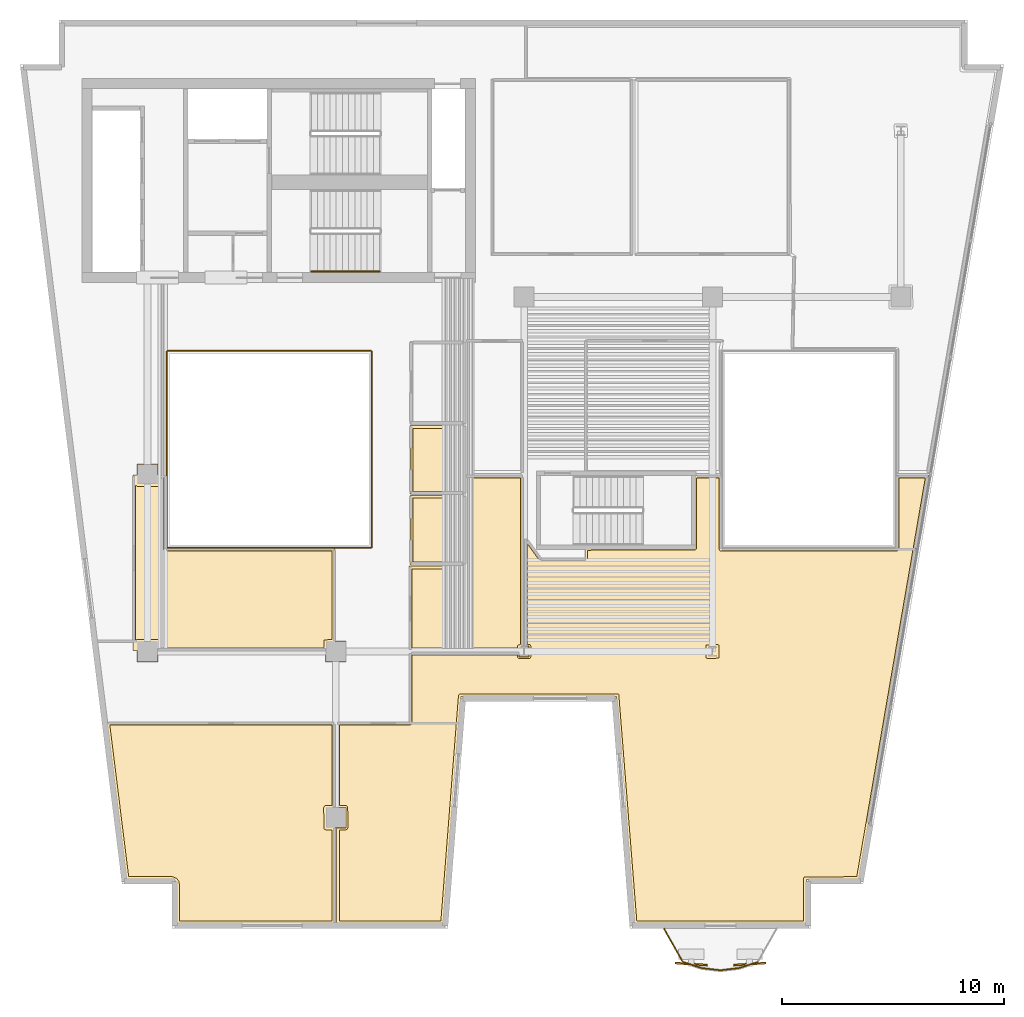
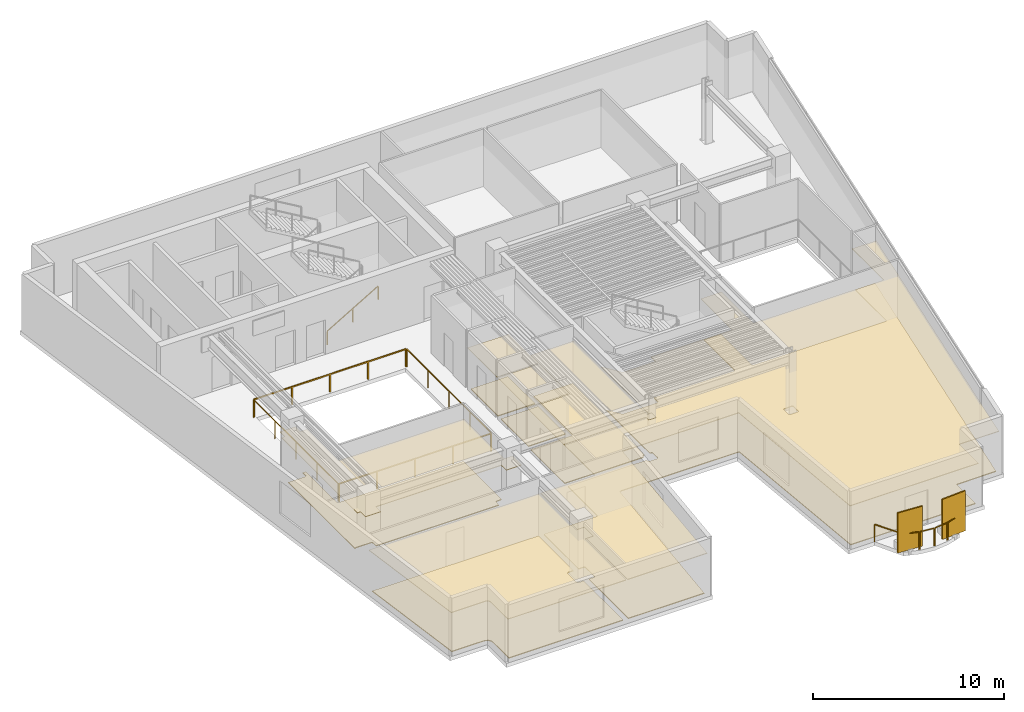
# One storey, part 7 of 10: 12 coverings, 10 railings, 2 shading devices.
"""IFC4 building model written with IfcOpenShell, lengths in metres."""

from ifc_helpers import new_model, si_unit, direction, frame, origin, origin_2d, place, context, subcontext, project, spatial, polyline, rectangle, outline, extrude, material, layer, layer_set, type_object, element, save


model = new_model("IFC4")

# Units and contexts
model_context = context("Model", 3, precision=1e-05, world=origin(), true_north=direction((0.0, 1.0)))
body_context = subcontext(model_context, "Body", "Model", "MODEL_VIEW")
ifc_project = project(units=[si_unit("LENGTHUNIT", "METRE"), si_unit("AREAUNIT", "SQUARE_METRE"), si_unit("VOLUMEUNIT", "CUBIC_METRE"), si_unit("PLANEANGLEUNIT", "RADIAN"), si_unit("MASSUNIT", "GRAM", prefix="KILO")], contexts=[model_context])

# Site, building, storey
site_placement = place(None, origin())
site = spatial("IfcSite", under=ifc_project, at=site_placement, CompositionType="ELEMENT")
building_placement = place(site_placement, origin())
building = spatial("IfcBuilding", under=site, at=building_placement, Name="Caeloran Harvest Quay", CompositionType="ELEMENT")
storey_placement = place(building_placement, frame((0.0, 0.0, 191.64990234375)))
storey = spatial("IfcBuildingStorey", under=building, at=storey_placement, Name="L45", CompositionType="ELEMENT", Elevation=191.64990234375)

# Coverings
ifc_material_1 = material(Name="Perforated Mineral-Fibre Acoustic Ceiling Tile", Category="ceiling")
ifc_layer_1 = layer(ifc_material_1, 0.0400390625, Name="Perforated Mineral-Fibre Acoustic Ceiling Tile")
ifc_layer_set_1 = layer_set([ifc_layer_1], Name="Perforated Mineral-Fibre Acoustic Ceiling Tile")
covering_type_1 = type_object("IfcCoveringType", Name="COV-CEILING-ACOUSTIC", PredefinedType="CEILING", material=ifc_layer_set_1)
covering_1_placement = place(storey_placement, frame((0.0, 0.0, 2.60009765625)))
element("IfcCovering", 1, at=covering_1_placement, inside=storey, type_object=covering_type_1, Name="L45 Female Washroom WC Acoustic Ceiling", PredefinedType="CEILING", context=body_context, shape_type="SweptSolid", body=[
    extrude(outline(polyline([(22.840087890625, 25.18994140625), (22.840087890625, 22.110107421875), (20.360107421875, 22.110107421875), (20.360107421875, 25.18994140625), (22.840087890625, 25.18994140625)])), origin(), (0.0, 0.0, 1.0), 0.0400390625),
])
covering_2_placement = place(storey_placement, frame((0.0, 0.0, 2.60009765625)))
element("IfcCovering", 2, at=covering_2_placement, inside=storey, type_object=covering_type_1, Name="L45 Accessible Unisex Washroom WC Acoustic Ceiling", PredefinedType="CEILING", context=body_context, shape_type="SweptSolid", body=[
    extrude(outline(polyline([(22.840087890625, 22.0400390625), (22.840087890625, 18.919921875), (20.360107421875, 18.919921875), (20.360107421875, 22.0400390625), (22.840087890625, 22.0400390625)])), origin(), (0.0, 0.0, 1.0), 0.0400390625),
])
covering_3_placement = place(storey_placement, frame((0.0, 0.0, 2.60009765625)))
element("IfcCovering", 3, at=covering_3_placement, inside=storey, type_object=covering_type_1, Name="Harbourfront Commercial Counsel Office Acoustic Ceiling", PredefinedType="CEILING", context=body_context, shape_type="SweptSolid", body=[
    extrude(outline(polyline([(9.797119140625, 4.603759765625), (9.72509765625, 4.682861328125), (9.62451171875, 4.718994140625), (7.54833984375, 4.719970703125), (6.666015625, 11.81005859375), (16.9599609375, 11.81005859375), (16.9599609375, 7.969970703125), (17.469970703125, 7.969970703125), (17.469970703125, 7.030029296875), (16.9599609375, 7.030029296875), (16.9599609375, 2.719970703125), (9.822998046875, 2.719970703125), (9.822998046875, 4.4990234375), (9.797119140625, 4.603759765625)])), origin(), (0.0, 0.0, 1.0), 0.0400390625),
])
covering_4_placement = place(storey_placement, frame((0.0, 0.0, 2.60009765625)))
element("IfcCovering", 4, at=covering_4_placement, inside=storey, type_object=covering_type_1, Name="Commodities Research Office Acoustic Ceiling", PredefinedType="CEILING", context=body_context, shape_type="SweptSolid", body=[
    extrude(outline(polyline([(16.530029296875, 7.969970703125), (17.0400390625, 7.969970703125), (17.0400390625, 11.81005859375), (20.31005859375, 11.81005859375), (20.31005859375, 14.9599609375), (25.27197265625, 14.9599609375), (25.27197265625, 15.242919921875), (25.5400390625, 15.242919921875), (25.5400390625, 20.209716796875), (26.267333984375, 19.210205078125), (28.239990234375, 19.2099609375), (28.239990234375, 19.68994140625), (33.159912109375, 19.68994140625), (33.159912109375, 22.9599609375), (34.409912109375, 22.9599609375), (34.409912109375, 19.659912109375), (42.2900390625, 19.659912109375), (42.2900390625, 22.9599609375), (43.746337890625, 22.9599609375), (40.611328125, 4.719970703125), (38.23291015625, 4.719970703125), (38.23291015625, 2.719970703125), (30.472900390625, 2.719970703125), (29.673095703125, 12.969970703125), (22.653564453125, 12.969970703125), (21.853515625, 2.719970703125), (17.0400390625, 2.719970703125), (17.0400390625, 7.030029296875), (16.530029296875, 7.030029296875), (16.530029296875, 7.969970703125)])), origin(), (0.0, 0.0, 1.0), 0.0400390625),
])
covering_5_placement = place(storey_placement, frame((0.0, 0.0, 2.60009765625)))
element("IfcCovering", 5, at=covering_5_placement, inside=storey, type_object=covering_type_1, Name="Maritime Trade Advisory Office Acoustic Ceiling", PredefinedType="CEILING", context=body_context, shape_type="SweptSolid", body=[
    extrude(outline(polyline([(8.030029296875, 15.0400390625), (7.840087890625, 15.0400390625), (7.840087890625, 22.9599609375), (8.030029296875, 22.9599609375), (8.030029296875, 23.469970703125), (8.969970703125, 23.469970703125), (8.969970703125, 22.9599609375), (9.360107421875, 22.9599609375), (9.360107421875, 19.659912109375), (16.9599609375, 19.659912109375), (16.9599609375, 15.469970703125), (17.469970703125, 15.469970703125), (17.469970703125, 14.530029296875), (16.530029296875, 14.530029296875), (16.530029296875, 15.0400390625), (8.969970703125, 15.0400390625), (8.969970703125, 14.530029296875), (8.030029296875, 14.530029296875), (8.030029296875, 15.0400390625)])), origin(), (0.0, 0.0, 1.0), 0.0400390625),
])
covering_6_placement = place(storey_placement, frame((0.0, 0.0, 2.60009765625)))
element("IfcCovering", 6, at=covering_6_placement, inside=storey, type_object=covering_type_1, Name="Managing Director Corner Office Acoustic Ceiling", PredefinedType="CEILING", context=body_context, shape_type="SweptSolid", body=[
    extrude(outline(polyline([(25.72802734375, 15.242919921875), (25.72802734375, 14.757080078125), (25.27197265625, 14.757080078125), (25.27197265625, 15.0400390625), (20.31005859375, 15.0400390625), (20.31005859375, 18.85009765625), (22.8701171875, 18.85009765625), (22.8701171875, 22.9599609375), (25.4599609375, 22.9599609375), (25.4599609375, 15.242919921875), (25.72802734375, 15.242919921875)])), origin(), (0.0, 0.0, 1.0), 0.0400390625),
])
ifc_material_2 = material(Name="Calcium-Sulphate Raised Access Floor and Terrazzo Finish", Category="flooring")
ifc_layer_2 = layer(ifc_material_2, 0.050048828125, Name="Calcium-Sulphate Raised Access Floor and Terrazzo Finish")
ifc_layer_set_2 = layer_set([ifc_layer_2], Name="Calcium-Sulphate Raised Access Floor and Terrazzo Finish")
covering_type_2 = type_object("IfcCoveringType", Name="COV-FLOOR-RAISED", PredefinedType="FLOORING", material=ifc_layer_set_2)
covering_7_placement = place(storey_placement, origin())
element("IfcCovering", 7, at=covering_7_placement, inside=storey, type_object=covering_type_2, Name="L45 Female Washroom WC Raised Finish Flooring", PredefinedType="FLOORING", context=body_context, shape_type="SweptSolid", body=[
    extrude(outline(polyline([(22.719970703125, 25.070068359375), (22.719970703125, 22.22998046875), (20.47998046875, 22.22998046875), (20.47998046875, 25.070068359375), (22.719970703125, 25.070068359375)])), origin(), (0.0, 0.0, 1.0), 0.050048828125),
])
covering_8_placement = place(storey_placement, origin())
element("IfcCovering", 8, at=covering_8_placement, inside=storey, type_object=covering_type_2, Name="L45 Accessible Unisex Washroom WC Raised Finish Flooring", PredefinedType="FLOORING", context=body_context, shape_type="SweptSolid", body=[
    extrude(outline(polyline([(22.719970703125, 21.919921875), (22.719970703125, 19.0400390625), (20.47998046875, 19.0400390625), (20.47998046875, 21.919921875), (22.719970703125, 21.919921875)])), origin(), (0.0, 0.0, 1.0), 0.050048828125),
])
covering_9_placement = place(storey_placement, origin())
element("IfcCovering", 9, at=covering_9_placement, inside=storey, type_object=covering_type_2, Name="Harbourfront Commercial Counsel Office Raised Finish Flooring", PredefinedType="FLOORING", context=body_context, shape_type="SweptSolid", body=[
    extrude(outline(polyline([(9.91845703125, 4.62646484375), (9.815673828125, 4.76513671875), (9.63232421875, 4.838623046875), (7.654296875, 4.840087890625), (6.8017578125, 11.68994140625), (16.840087890625, 11.68994140625), (16.840087890625, 8.044921875), (16.519287109375, 8.04345703125), (16.455078125, 7.965087890625), (16.461181640625, 7.00439453125), (16.527099609375, 6.955322265625), (16.840087890625, 6.955078125), (16.840087890625, 2.840087890625), (9.943115234375, 2.840087890625), (9.943115234375, 4.5), (9.91845703125, 4.62646484375)])), origin(), (0.0, 0.0, 1.0), 0.050048828125),
])
covering_10_placement = place(storey_placement, origin())
element("IfcCovering", 10, at=covering_10_placement, inside=storey, type_object=covering_type_2, Name="Commodities Research Office Raised Finish Flooring", PredefinedType="FLOORING", context=body_context, shape_type="SweptSolid", body=[
    extrude(outline(polyline([(22.616455078125, 13.090087890625), (22.559326171875, 13.06591796875), (22.53662109375, 13.01611328125), (21.742431640625, 2.840087890625), (17.159912109375, 2.840087890625), (17.159912109375, 6.955078125), (17.480712890625, 6.95654296875), (17.544921875, 7.034912109375), (17.538818359375, 7.99560546875), (17.472900390625, 8.044677734375), (17.159912109375, 8.044921875), (17.159912109375, 11.68994140625), (20.35009765625, 11.68994140625), (20.406494140625, 11.71337890625), (20.429931640625, 11.77001953125), (20.429931640625, 14.840087890625), (25.197021484375, 14.840087890625), (25.203125, 14.7314453125), (25.261474609375, 14.68359375), (25.722900390625, 14.681884765625), (25.779541015625, 14.705322265625), (25.802978515625, 14.761962890625), (25.801513671875, 15.253662109375), (25.753662109375, 15.31201171875), (25.659912109375, 15.318115234375), (25.659912109375, 19.8408203125), (26.182373046875, 19.123046875), (26.2470703125, 19.090087890625), (28.295654296875, 19.091552734375), (28.359619140625, 19.162109375), (28.360107421875, 19.570068359375), (33.22314453125, 19.573486328125), (33.280029296875, 19.64990234375), (33.280029296875, 22.840087890625), (34.2900390625, 22.840087890625), (34.2900390625, 19.6201171875), (34.33935546875, 19.546142578125), (42.345703125, 19.54150390625), (42.409912109375, 19.6201171875), (42.409912109375, 22.840087890625), (43.60400390625, 22.840087890625), (40.51025390625, 4.840087890625), (38.14208984375, 4.82177734375), (38.113037109375, 4.760009765625), (38.113037109375, 2.840087890625), (30.583984375, 2.840087890625), (29.7724609375, 13.06005859375), (29.7099609375, 13.090087890625), (22.616455078125, 13.090087890625)]), holes=[polyline([(34.302490234375, 14.754150390625), (34.284912109375, 15.288818359375), (34.230712890625, 15.317626953125), (33.726318359375, 15.2998046875), (33.697021484375, 15.238037109375), (33.715087890625, 14.711181640625), (33.777099609375, 14.681884765625), (34.273681640625, 14.7001953125), (34.302490234375, 14.754150390625)])]), origin(), (0.0, 0.0, 1.0), 0.050048828125),
])
covering_11_placement = place(storey_placement, origin())
element("IfcCovering", 11, at=covering_11_placement, inside=storey, type_object=covering_type_2, Name="Maritime Trade Advisory Office Raised Finish Flooring", PredefinedType="FLOORING", context=body_context, shape_type="SweptSolid", body=[
    extrude(outline(polyline([(7.9599609375, 15.49267578125), (7.9599609375, 22.50732421875), (8.034912109375, 22.455078125), (8.98828125, 22.45849609375), (9.04345703125, 22.519287109375), (9.044921875, 22.840087890625), (9.239990234375, 22.840087890625), (9.239990234375, 19.64990234375), (9.2607421875, 19.585693359375), (9.314208984375, 19.5458984375), (16.840087890625, 19.5400390625), (16.840087890625, 15.544921875), (16.478515625, 15.521484375), (16.455078125, 15.159912109375), (9.044921875, 15.159912109375), (9.04345703125, 15.480712890625), (8.98828125, 15.54150390625), (8.034912109375, 15.544921875), (7.9599609375, 15.49267578125)])), origin(), (0.0, 0.0, 1.0), 0.050048828125),
])
covering_12_placement = place(storey_placement, origin())
element("IfcCovering", 12, at=covering_12_placement, inside=storey, type_object=covering_type_2, Name="Managing Director Corner Office Raised Finish Flooring", PredefinedType="FLOORING", context=body_context, shape_type="SweptSolid", body=[
    extrude(outline(polyline([(22.897705078125, 18.7314453125), (22.96240234375, 18.76708984375), (22.989990234375, 18.840087890625), (22.989990234375, 22.840087890625), (25.340087890625, 22.840087890625), (25.340087890625, 15.318115234375), (25.215087890625, 15.288818359375), (25.197021484375, 15.159912109375), (20.429931640625, 15.159912109375), (20.429931640625, 18.72998046875), (22.897705078125, 18.7314453125)])), origin(), (0.0, 0.0, 1.0), 0.050048828125),
])

# Railings
ifc_material_3 = material(Name="Powder-Coated Steel Post and Laminated Glass Guardrail", Category="steel")
ifc_layer_3 = layer(ifc_material_3, 0.06005859375, Name="Powder-Coated Steel Post and Laminated Glass Guardrail")
ifc_layer_set_3 = layer_set([ifc_layer_3], Name="Powder-Coated Steel Post and Laminated Glass Guardrail")
railing_type_1 = type_object("IfcRailingType", Name="GUARD-ATRIUM-1150", PredefinedType="GUARDRAIL", material=ifc_layer_set_3)
railing_1_placement = place(storey_placement, frame((9.412109375, 19.679931640625, 0.0)))
element("IfcRailing", 13, at=railing_1_placement, inside=storey, type_object=railing_type_1, Name="L45 Skylit Atrium Void Perimeter Guardrail Seg 1", PredefinedType="GUARDRAIL", context=body_context, shape_type="SweptSolid", body=[
    extrude(rectangle(XDim=0.048095703125, YDim=0.048095703125, at=origin_2d()), frame((0.0, 0.0, 1.1259765625), z_axis=(1.0, 0.0, 0.0), x_axis=(0.0, 1.0, 0.0)), (0.0, 0.0, 1.0), 9.17578125),
    extrude(rectangle(XDim=0.0419921875, YDim=0.0419921875, at=origin_2d()), origin(), (0.0, 0.0, 1.0), 1.101806640625),
    extrude(rectangle(XDim=0.0419921875, YDim=0.0419921875, at=origin_2d()), frame((2.2939453125, 0.0, 0.0)), (0.0, 0.0, 1.0), 1.101806640625),
    extrude(rectangle(XDim=0.0419921875, YDim=0.0419921875, at=origin_2d()), frame((4.587890625, 0.0, 0.0)), (0.0, 0.0, 1.0), 1.101806640625),
    extrude(rectangle(XDim=0.0419921875, YDim=0.0419921875, at=origin_2d()), frame((6.8818359375, 0.0, 0.0)), (0.0, 0.0, 1.0), 1.101806640625),
    extrude(rectangle(XDim=0.0419921875, YDim=0.0419921875, at=origin_2d()), frame((9.17578125, 0.0, 0.0)), (0.0, 0.0, 1.0), 1.101806640625),
])
railing_2_placement = place(storey_placement, frame((18.6201171875, 19.7119140625, 0.0)))
element("IfcRailing", 14, at=railing_2_placement, inside=storey, type_object=railing_type_1, Name="L45 Skylit Atrium Void Perimeter Guardrail Seg 2", PredefinedType="GUARDRAIL", context=body_context, shape_type="SweptSolid", body=[
    extrude(rectangle(XDim=0.048095703125, YDim=0.048095703125, at=origin_2d()), frame((0.0, 0.0, 1.1259765625), z_axis=(0.0, 1.0, 0.0), x_axis=(-1.0, 0.0, 0.0)), (0.0, 0.0, 1.0), 8.826171875),
    extrude(rectangle(XDim=0.0419921875, YDim=0.0419921875, at=origin_2d()), origin(), (0.0, 0.0, 1.0), 1.101806640625),
    extrude(rectangle(XDim=0.0419921875, YDim=0.0419921875, at=origin_2d()), frame((0.0, 2.20654296875, 0.0)), (0.0, 0.0, 1.0), 1.101806640625),
    extrude(rectangle(XDim=0.0419921875, YDim=0.0419921875, at=origin_2d()), frame((0.0, 4.4130859375, 0.0)), (0.0, 0.0, 1.0), 1.101806640625),
    extrude(rectangle(XDim=0.0419921875, YDim=0.0419921875, at=origin_2d()), frame((0.0, 6.61962890625, 0.0)), (0.0, 0.0, 1.0), 1.101806640625),
    extrude(rectangle(XDim=0.0419921875, YDim=0.0419921875, at=origin_2d()), frame((0.0, 8.826171875, 0.0)), (0.0, 0.0, 1.0), 1.101806640625),
])
railing_3_placement = place(storey_placement, frame((18.587890625, 28.570068359375, 0.0)))
element("IfcRailing", 15, at=railing_3_placement, inside=storey, type_object=railing_type_1, Name="L45 Skylit Atrium Void Perimeter Guardrail Seg 3", PredefinedType="GUARDRAIL", context=body_context, shape_type="SweptSolid", body=[
    extrude(rectangle(XDim=0.048095703125, YDim=0.048095703125, at=origin_2d()), frame((0.0, 0.0, 1.1259765625), z_axis=(-1.0, 0.0, 0.0), x_axis=(0.0, -1.0, 0.0)), (0.0, 0.0, 1.0), 9.17578125),
    extrude(rectangle(XDim=0.0419921875, YDim=0.0419921875, at=origin_2d()), origin(), (0.0, 0.0, 1.0), 1.101806640625),
    extrude(rectangle(XDim=0.0419921875, YDim=0.0419921875, at=origin_2d()), frame((-2.2939453125, 0.0, 0.0)), (0.0, 0.0, 1.0), 1.101806640625),
    extrude(rectangle(XDim=0.0419921875, YDim=0.0419921875, at=origin_2d()), frame((-4.587890625, 0.0, 0.0)), (0.0, 0.0, 1.0), 1.101806640625),
    extrude(rectangle(XDim=0.0419921875, YDim=0.0419921875, at=origin_2d()), frame((-6.8818359375, 0.0, 0.0)), (0.0, 0.0, 1.0), 1.101806640625),
    extrude(rectangle(XDim=0.0419921875, YDim=0.0419921875, at=origin_2d()), frame((-9.17578125, 0.0, 0.0)), (0.0, 0.0, 1.0), 1.101806640625),
])
railing_4_placement = place(storey_placement, frame((9.3798828125, 28.5380859375, 0.0)))
element("IfcRailing", 16, at=railing_4_placement, inside=storey, type_object=railing_type_1, Name="L45 Skylit Atrium Void Perimeter Guardrail Seg 4", PredefinedType="GUARDRAIL", context=body_context, shape_type="SweptSolid", body=[
    extrude(rectangle(XDim=0.048095703125, YDim=0.048095703125, at=origin_2d()), frame((0.0, 0.0, 1.1259765625), z_axis=(0.0, -1.0, 0.0), x_axis=(1.0, 0.0, 0.0)), (0.0, 0.0, 1.0), 8.826171875),
    extrude(rectangle(XDim=0.0419921875, YDim=0.0419921875, at=origin_2d()), origin(), (0.0, 0.0, 1.0), 1.101806640625),
    extrude(rectangle(XDim=0.0419921875, YDim=0.0419921875, at=origin_2d()), frame((0.0, -2.20654296875, 0.0)), (0.0, 0.0, 1.0), 1.101806640625),
    extrude(rectangle(XDim=0.0419921875, YDim=0.0419921875, at=origin_2d()), frame((0.0, -4.4130859375, 0.0)), (0.0, 0.0, 1.0), 1.101806640625),
    extrude(rectangle(XDim=0.0419921875, YDim=0.0419921875, at=origin_2d()), frame((0.0, -6.61962890625, 0.0)), (0.0, 0.0, 1.0), 1.101806640625),
    extrude(rectangle(XDim=0.0419921875, YDim=0.0419921875, at=origin_2d()), frame((0.0, -8.826171875, 0.0)), (0.0, 0.0, 1.0), 1.101806640625),
])
ifc_material_4 = material(Name="Laminated Safety Glass and Stainless Steel 316", Category="steel")
ifc_layer_4 = layer(ifc_material_4, 0.06005859375, Name="Laminated Safety Glass and Stainless Steel 316")
ifc_layer_set_4 = layer_set([ifc_layer_4], Name="Laminated Safety Glass and Stainless Steel 316")
railing_type_2 = type_object("IfcRailingType", Name="GUARD-BALUSTRADE-1150", PredefinedType="BALUSTRADE", material=ifc_layer_set_4)
railing_5_placement = place(storey_placement, frame((36.018310546875, 0.977294921875, 0.0)))
element("IfcRailing", 17, at=railing_5_placement, inside=storey, type_object=railing_type_2, Name="L45 Planted Balcony Perimeter Balustrade Guard Seg 2", PredefinedType="BALUSTRADE", context=body_context, shape_type="SweptSolid", body=[
    extrude(rectangle(XDim=0.048095703125, YDim=0.048095703125, at=origin_2d()), frame((0.0, 0.0, 1.1259765625), z_axis=(-0.951744871513, -0.306890370572, 0.0), x_axis=(0.306890370572, -0.951744871513, 0.0)), (0.0, 0.0, 1.0), 0.824951171875),
    extrude(rectangle(XDim=0.0419921875, YDim=0.0419921875, at=origin_2d()), origin(), (0.0, 0.0, 1.0), 1.101806640625),
    extrude(rectangle(XDim=0.0419921875, YDim=0.0419921875, at=origin_2d()), frame((-0.78515625, -0.253173828125, 0.0)), (0.0, 0.0, 1.0), 1.101806640625),
])
railing_6_placement = place(storey_placement, frame((35.1708984375, 0.71044921875, 0.0)))
element("IfcRailing", 18, at=railing_6_placement, inside=storey, type_object=railing_type_2, Name="L45 Planted Balcony Perimeter Balustrade Guard Seg 3", PredefinedType="BALUSTRADE", context=body_context, shape_type="SweptSolid", body=[
    extrude(rectangle(XDim=0.048095703125, YDim=0.048095703125, at=origin_2d()), frame((0.0, 0.0, 1.1259765625), z_axis=(-0.993120969903, -0.117092865447, 0.0), x_axis=(0.117092865447, -0.993120969903, 0.0)), (0.0, 0.0, 1.0), 0.7880859375),
    extrude(rectangle(XDim=0.0419921875, YDim=0.0419921875, at=origin_2d()), origin(), (0.0, 0.0, 1.0), 1.101806640625),
    extrude(rectangle(XDim=0.0419921875, YDim=0.0419921875, at=origin_2d()), frame((-0.78271484375, -0.09228515625, 0.0)), (0.0, 0.0, 1.0), 1.101806640625),
])
railing_7_placement = place(storey_placement, frame((34.32470703125, 0.6181640625, 0.0)))
element("IfcRailing", 19, at=railing_7_placement, inside=storey, type_object=railing_type_2, Name="L45 Planted Balcony Perimeter Balustrade Guard Seg 4", PredefinedType="BALUSTRADE", context=body_context, shape_type="SweptSolid", body=[
    extrude(rectangle(XDim=0.048095703125, YDim=0.048095703125, at=origin_2d()), frame((0.0, 0.0, 1.1259765625), z_axis=(-0.993120969903, 0.117092865447, 0.0), x_axis=(-0.117092865447, -0.993120969903, 0.0)), (0.0, 0.0, 1.0), 0.7880859375),
    extrude(rectangle(XDim=0.0419921875, YDim=0.0419921875, at=origin_2d()), origin(), (0.0, 0.0, 1.0), 1.101806640625),
    extrude(rectangle(XDim=0.0419921875, YDim=0.0419921875, at=origin_2d()), frame((-0.78271484375, 0.09228515625, 0.0)), (0.0, 0.0, 1.0), 1.101806640625),
])
railing_8_placement = place(storey_placement, frame((33.479736328125, 0.72412109375, 0.0)))
element("IfcRailing", 20, at=railing_8_placement, inside=storey, type_object=railing_type_2, Name="L45 Planted Balcony Perimeter Balustrade Guard Seg 5", PredefinedType="BALUSTRADE", context=body_context, shape_type="SweptSolid", body=[
    extrude(rectangle(XDim=0.048095703125, YDim=0.048095703125, at=origin_2d()), frame((0.0, 0.0, 1.1259765625), z_axis=(-0.951744871513, 0.306890370572, 0.0), x_axis=(-0.306890370572, -0.951744871513, 0.0)), (0.0, 0.0, 1.0), 0.824951171875),
    extrude(rectangle(XDim=0.0419921875, YDim=0.0419921875, at=origin_2d()), origin(), (0.0, 0.0, 1.0), 1.101806640625),
    extrude(rectangle(XDim=0.0419921875, YDim=0.0419921875, at=origin_2d()), frame((-0.78515625, 0.253173828125, 0.0)), (0.0, 0.0, 1.0), 1.101806640625),
])
railing_9_placement = place(storey_placement, frame((32.6484375, 1.014892578125, 0.0)))
element("IfcRailing", 21, at=railing_9_placement, inside=storey, type_object=railing_type_2, Name="L45 Planted Balcony Perimeter Balustrade Guard Seg 6", PredefinedType="BALUSTRADE", context=body_context, shape_type="SweptSolid", body=[
    extrude(rectangle(XDim=0.048095703125, YDim=0.048095703125, at=origin_2d()), frame((0.0, 0.0, 1.1259765625), z_axis=(-0.493060124034, 0.869995237968, 0.0), x_axis=(-0.869995237968, -0.493060124034, 0.0)), (0.0, 0.0, 1.0), 1.68408203125),
    extrude(rectangle(XDim=0.0419921875, YDim=0.0419921875, at=origin_2d()), origin(), (0.0, 0.0, 1.0), 1.101806640625),
    extrude(rectangle(XDim=0.0419921875, YDim=0.0419921875, at=origin_2d()), frame((-0.830322265625, 1.465087890625, 0.0)), (0.0, 0.0, 1.0), 1.101806640625),
])

# Shading devices
ifc_material_5 = material(Name="3003-H14 Perforated Powder-Coated Aluminium", Category="aluminium")
shading_device_type = type_object("IfcShadingDeviceType", Name="SHADE-SCREEN-FOLDED", PredefinedType="USERDEFINED", material=ifc_material_5)
for number, where, z_axis, x_axis, name in (
    (22, (35.676513671875, 0.8935546875, 0.0751953125), (0.0, 0.0, 1.0), (0.997801468292, 0.0662739004, 0.0), "L45 Folded Facade Breathing Screen 1"),
    (23, (33.03662109375, 0.8935546875, 0.0751953125), (0.0, 0.0, 1.0), (0.997801468292, -0.0662739004, 0.0), "L45 Folded Facade Breathing Screen 2"),
):
    element("IfcShadingDevice", number, at=place(storey_placement, frame(where, z_axis=z_axis, x_axis=x_axis)), inside=storey, type_object=shading_device_type, Name=name, ObjectType="SCREEN", PredefinedType="USERDEFINED", context=body_context, shape_type="SweptSolid", body=[
        extrude(rectangle(XDim=1.449951171875, YDim=0.080078125, at=origin_2d()), origin(), (0.0, 0.0, 1.0), 2.550048828125),
    ])

# Railing
ifc_material_6 = material(Name="Brushed Stainless Steel Grade 304", Category="steel")
ifc_layer_5 = layer(ifc_material_6, 0.050048828125, Name="Brushed Stainless Steel Grade 304")
ifc_layer_set_5 = layer_set([ifc_layer_5], Name="Brushed Stainless Steel Grade 304")
railing_type_3 = type_object("IfcRailingType", Name="STAIR-HANDRAIL-900", PredefinedType="HANDRAIL", material=ifc_layer_set_5)
railing_10_placement = place(storey_placement, frame((15.89990234375, 32.14990234375, 0.164794921875)))
element("IfcRailing", 24, at=railing_10_placement, inside=storey, type_object=railing_type_3, Name="L45 ST-C2 stair handrail 1", PredefinedType="HANDRAIL", context=body_context, shape_type="SweptSolid", body=[
    extrude(rectangle(XDim=0.048095703125, YDim=0.048095703125, at=origin_2d()), frame((0.0, 0.0, 0.8759765625), z_axis=(0.862118610829, 0.0, 0.506706523406), x_axis=(0.0, 1.0, 0.0)), (0.0, 0.0, 1.0), 3.57275390625),
    extrude(rectangle(XDim=0.0419921875, YDim=0.0419921875, at=origin_2d()), origin(), (0.0, 0.0, 1.0), 0.851806640625),
    extrude(rectangle(XDim=0.0419921875, YDim=0.0419921875, at=origin_2d()), frame((1.5400390625, 0.0, 0.9052734375)), (0.0, 0.0, 1.0), 0.851806640625),
    extrude(rectangle(XDim=0.0419921875, YDim=0.0419921875, at=origin_2d()), frame((3.080078125, 0.0, 1.810302734375)), (0.0, 0.0, 1.0), 0.851806640625),
])

save(model, "model.ifc")
